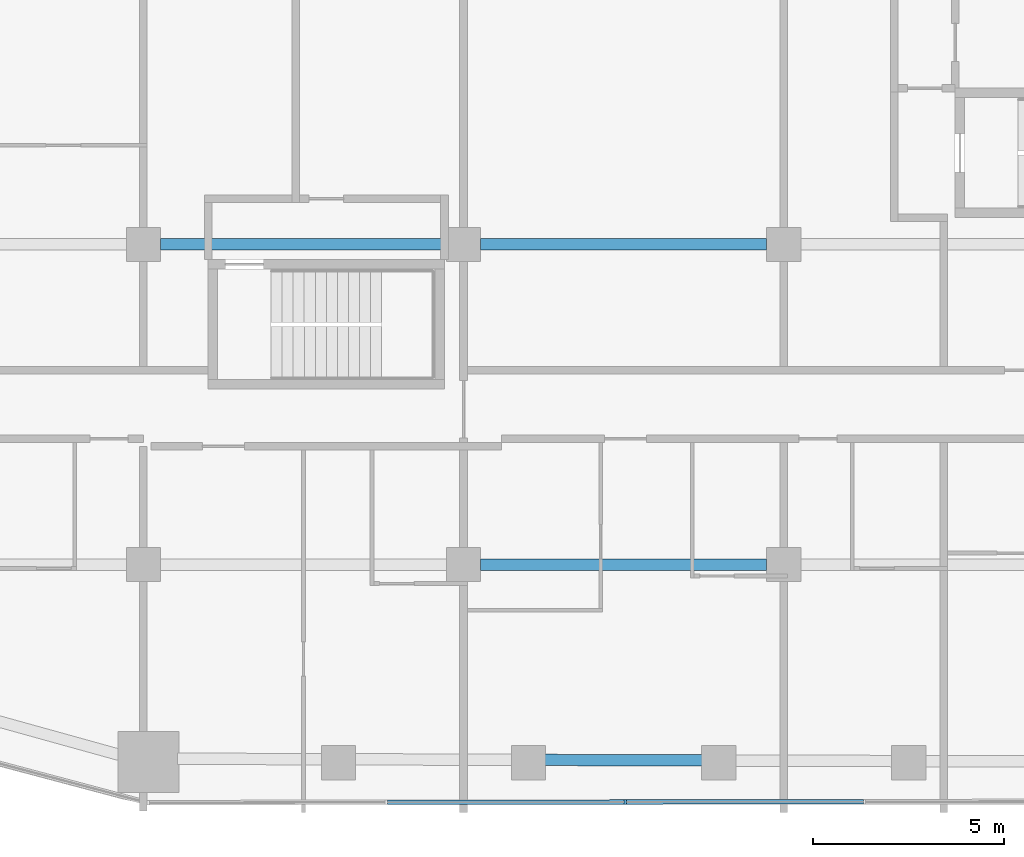
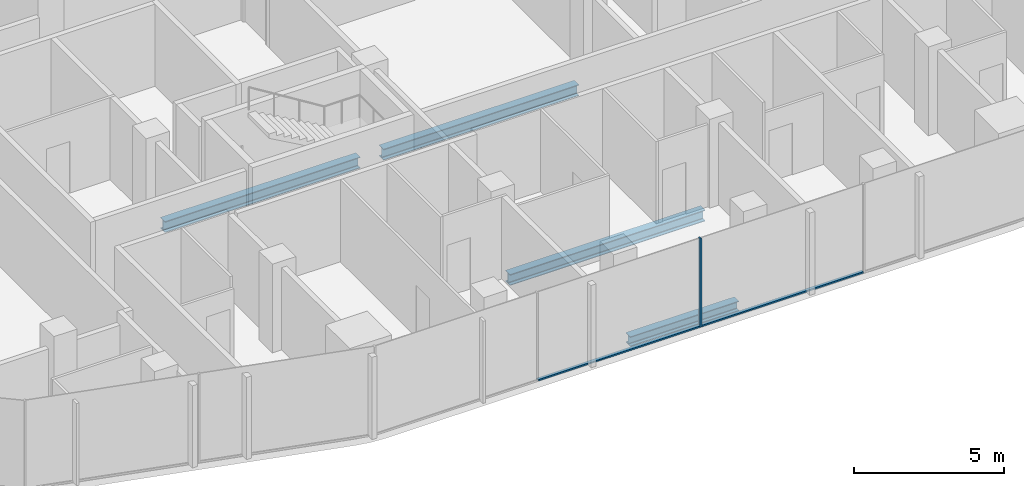
# One storey, part 3 of 21: 4 beams, 3 members, 1 element without a shape of its own.
"""IFC4 building model written with IfcOpenShell, lengths in metres."""

import ifcopenshell
import ifcopenshell.guid

model = None  # the IFC model being written
_history = None  # IfcOwnerHistory: only IFC2X3 demands one
_inside = {}  # id of a spatial element -> (the spatial element, [elements in it])
_under = {}  # id of a project, library or spatial element -> (it, [spatial elements below it])
_declared = {}  # id of a project -> (the project, [libraries it declares])
_typed = {}  # id of a type object -> (the type object, [elements of that type])
_made_of = {}  # id of a material, layer set ... -> (it, [elements and type objects made of it])


def new_model(schema):
    """Start an empty IFC model of exactly this schema.

    Asked for "IFC4X3", IfcOpenShell would pick the latest addendum, in which some entities
    have other attributes; the version numbers below select the first issue.
    IFC2X3 requires an IfcOwnerHistory on every rooted entity: one is made here for all.
    """
    global model, _history
    if schema == "IFC4X3":
        model = ifcopenshell.file(schema_version=(4, 3, 0, 0))
    else:
        model = ifcopenshell.file(schema=schema)
    _inside.clear()
    _under.clear()
    _declared.clear()
    _typed.clear()
    _made_of.clear()
    _history = None
    if model.schema == "IFC2X3":
        org = make("IfcOrganization", Name="unknown")
        user = make(
            "IfcPersonAndOrganization",
            ThePerson=make("IfcPerson", FamilyName="unknown"),
            TheOrganization=org,
        )
        app = make(
            "IfcApplication",
            ApplicationDeveloper=org,
            Version="unknown",
            ApplicationFullName="unknown",
            ApplicationIdentifier="unknown",
        )
        _history = make(
            "IfcOwnerHistory",
            OwningUser=user,
            OwningApplication=app,
            ChangeAction="ADDED",
            CreationDate=0,
        )
    return model


def make(cls, **values):
    """One entity of the class cls with the attributes given. An attribute that is None is left unset."""
    return model.create_entity(
        cls, **{name: value for name, value in values.items() if value is not None}
    )


def rooted(cls, **values):
    """An entity with a GlobalId (a new one), such as an element, a storey or a relation."""
    return make(cls, GlobalId=ifcopenshell.guid.new(), OwnerHistory=_history, **values)


def si_unit(unit_type, name, prefix=None):
    """IfcSIUnit, for example si_unit("LENGTHUNIT", "METRE", prefix="MILLI")."""
    return make("IfcSIUnit", UnitType=unit_type, Prefix=prefix, Name=name)


def assignment(units):
    """IfcUnitAssignment: the units of a project."""
    return None if units is None else make("IfcUnitAssignment", Units=units)


def point(xyz):
    """IfcCartesianPoint."""
    return None if xyz is None else make("IfcCartesianPoint", Coordinates=xyz)


def direction(xyz):
    """IfcDirection."""
    return None if xyz is None else make("IfcDirection", DirectionRatios=xyz)


def frame(location, z_axis=None, x_axis=None):
    """IfcAxis2Placement3D, a coordinate frame: its origin and axes. An axis left out is left unset."""
    return make(
        "IfcAxis2Placement3D",
        Location=point(location),
        Axis=direction(z_axis),
        RefDirection=direction(x_axis),
    )


def frame_2d(location, x_axis=None):
    """IfcAxis2Placement2D, a coordinate frame in the plane: its origin and x axis."""
    return make(
        "IfcAxis2Placement2D", Location=point(location), RefDirection=direction(x_axis)
    )


def origin():
    """The frame at (0, 0, 0) with its axes left unset."""
    return frame((0.0, 0.0, 0.0))


def origin_2d():
    """The frame at (0, 0) in the plane with its x axis left unset."""
    return frame_2d((0.0, 0.0))


def place(relative_to, where):
    """IfcLocalPlacement: puts the frame where relative to a parent placement (None: the world)."""
    return make(
        "IfcLocalPlacement", PlacementRelTo=relative_to, RelativePlacement=where
    )


def context(
    kind, dimensions, precision=None, world=None, true_north=None, identifier=None
):
    """IfcGeometricRepresentationContext, for example the 3D "Model" context."""
    return make(
        "IfcGeometricRepresentationContext",
        ContextIdentifier=identifier,
        ContextType=kind,
        CoordinateSpaceDimension=dimensions,
        Precision=precision,
        WorldCoordinateSystem=world,
        TrueNorth=true_north,
    )


def subcontext(parent, identifier, kind, view, scale=None):
    """IfcGeometricRepresentationSubContext, for example "Body" below "Model"."""
    return make(
        "IfcGeometricRepresentationSubContext",
        ContextIdentifier=identifier,
        ContextType=kind,
        ParentContext=parent,
        TargetScale=scale,
        TargetView=view,
    )


def project(units=None, contexts=None):
    """IfcProject with its units and contexts."""
    return rooted(
        "IfcProject",
        Name="project",
        RepresentationContexts=contexts,
        UnitsInContext=assignment(units),
    )


def spatial(cls, under=None, at=None, **own):
    """A site, building, storey or space (cls), placed at a placement, below another one or the project."""
    s = rooted(cls, ObjectPlacement=at, **own)
    if under is not None:
        _under.setdefault(under.id(), (under, []))[1].append(s)
    return s


def profile(cls, at=None, kind="AREA", **sizes):
    """A parametric profile (cls). Its sizes go by their IFC names, for example OverallWidth=200.0."""
    return make(cls, ProfileType=kind, Position=at, **sizes)


def rectangle(**sizes):
    """IfcRectangleProfileDef."""
    return profile("IfcRectangleProfileDef", **sizes)


def i_section(**sizes):
    """IfcIShapeProfileDef."""
    return profile("IfcIShapeProfileDef", **sizes)


def extrude(swept, where, along, depth):
    """IfcExtrudedAreaSolid: the profile swept, set in the frame where, extruded along a direction by depth."""
    return make(
        "IfcExtrudedAreaSolid",
        SweptArea=swept,
        Position=where,
        ExtrudedDirection=direction(along),
        Depth=depth,
    )


def shape(context_of_items, identifier, shape_type, items):
    """IfcShapeRepresentation: the items that make up one representation, for example the "Body"."""
    return make(
        "IfcShapeRepresentation",
        ContextOfItems=context_of_items,
        RepresentationIdentifier=identifier,
        RepresentationType=shape_type,
        Items=items,
    )


def material(Name=None, Category=None):
    """IfcMaterial."""
    return make("IfcMaterial", Name=Name, Category=Category)


def layer(
    of_material, thickness, ventilated=None, Name=None, Category=None, Priority=None
):
    """IfcMaterialLayer: one layer of a wall or slab, of a material (None: an air gap)."""
    return make(
        "IfcMaterialLayer",
        Material=of_material,
        LayerThickness=thickness,
        IsVentilated=ventilated,
        Name=Name,
        Category=Category,
        Priority=Priority,
    )


def layer_set(layers, Name=None):
    """IfcMaterialLayerSet."""
    return make("IfcMaterialLayerSet", MaterialLayers=layers, LayerSetName=Name)


def material_profile(
    of_material, cross_section, Name=None, Category=None, Priority=None
):
    """IfcMaterialProfile: a cross section and its material."""
    return make(
        "IfcMaterialProfile",
        Name=Name,
        Material=of_material,
        Profile=cross_section,
        Priority=Priority,
        Category=Category,
    )


def profile_set(profiles, Name=None, composite=None):
    """IfcMaterialProfileSet."""
    return make(
        "IfcMaterialProfileSet",
        Name=Name,
        MaterialProfiles=profiles,
        CompositeProfile=composite,
    )


def made_of(thing, what):
    """Note that an element or type object is made of a material, layer set ...; save() writes the relation."""
    if what is not None:
        _made_of.setdefault(what.id(), (what, []))[1].append(thing)
    return thing


def type_object(cls, material=None, **own):
    """A type object (cls), such as IfcWallType, which elements share."""
    return made_of(rooted(cls, **own), material)


def element(
    cls,
    number,
    at=None,
    inside=None,
    cuts=None,
    type_object=None,
    material=None,
    context=None,
    identifier="Body",
    shape_type=None,
    held_by="IfcProductDefinitionShape",
    body=None,
    shapes=None,
    **own,
):
    """One element of the class cls, such as IfcWall. Its Tag is "e" and its number.

    at: its placement. inside: the storey or other place that contains it. cuts: it is an
    opening in that element (IfcRelVoidsElement). A single representation is given by context,
    identifier, shape_type and body (its items); several are given by shapes. held_by: the class
    of the entity that holds the representations. save() writes the other relations.
    """
    e = rooted(cls, Tag="e%d" % number, ObjectPlacement=at, **own)
    if body is not None:
        shapes = [shape(context, identifier, shape_type, body)]
    if shapes is not None:
        e.Representation = make(held_by, Representations=shapes)
    if inside is not None:
        _inside.setdefault(inside.id(), (inside, []))[1].append(e)
    if cuts is not None:
        rooted(
            "IfcRelVoidsElement", RelatingBuildingElement=cuts, RelatedOpeningElement=e
        )
    if type_object is not None:
        _typed.setdefault(type_object.id(), (type_object, []))[1].append(e)
    return made_of(e, material)


def aggregate(whole, parts):
    """IfcRelAggregates: a whole, such as a stair, and the parts it consists of."""
    return rooted("IfcRelAggregates", RelatingObject=whole, RelatedObjects=parts)


def save(model, path):
    """Write the relations noted so far, then the file.

    IfcRelAggregates (storeys below a building ...), IfcRelContainedInSpatialStructure (elements
    in a storey), IfcRelDefinesByType, IfcRelAssociatesMaterial and IfcRelDeclares: one each for
    every whole, place, type object, material and project.
    """
    for whole, parts in _under.values():
        aggregate(whole, parts)
    for where, things in _inside.values():
        rooted(
            "IfcRelContainedInSpatialStructure",
            RelatedElements=things,
            RelatingStructure=where,
        )
    for kind, things in _typed.values():
        rooted("IfcRelDefinesByType", RelatedObjects=things, RelatingType=kind)
    for what, things in _made_of.values():
        rooted("IfcRelAssociatesMaterial", RelatedObjects=things, RelatingMaterial=what)
    for by, libraries in _declared.values():
        rooted("IfcRelDeclares", RelatingContext=by, RelatedDefinitions=libraries)
    model.write(path)


model = new_model("IFC4")

# Units and contexts
model_context = context("Model", 3, precision=1e-05, world=origin(), true_north=direction((0.0, 1.0)))
body_context = subcontext(model_context, "Body", "Model", "MODEL_VIEW")
ifc_project = project(units=[si_unit("LENGTHUNIT", "METRE"), si_unit("AREAUNIT", "SQUARE_METRE"), si_unit("VOLUMEUNIT", "CUBIC_METRE"), si_unit("PLANEANGLEUNIT", "RADIAN"), si_unit("MASSUNIT", "GRAM", prefix="KILO")], contexts=[model_context])

# Site, building, storey
site_placement = place(None, origin())
site = spatial("IfcSite", under=ifc_project, at=site_placement, CompositionType="ELEMENT")
building_placement = place(site_placement, origin())
building = spatial("IfcBuilding", under=site, at=building_placement, Name="Marenta Gate Hotel Tower", CompositionType="ELEMENT")
storey_placement = place(building_placement, frame((0.0, 0.0, 133.699951171875)))
storey = spatial("IfcBuildingStorey", under=building, at=storey_placement, Name="L30", CompositionType="ELEMENT", Elevation=133.699951171875)

# Beams
ifc_material_1 = material(Name="Steel S355", Category="steel")
ifc_material_profile_1 = material_profile(ifc_material_1, i_section(OverallWidth=0.300048828125, OverallDepth=0.39990234375, WebThickness=0.013427734375, FlangeThickness=0.02392578125, FilletRadius=0.027099609375, at=origin_2d()), Name="HEB 400")
ifc_profile_set_1 = profile_set([ifc_material_profile_1], Name="Steel S355")
beam_type_1 = type_object("IfcBeamType", Name="Edge beam HEB 400", PredefinedType="SPANDREL", material=ifc_profile_set_1)
beam_placement = place(storey_placement, frame((2.08349609375, -21.939453125, -0.4599609375), z_axis=(-0.999994808095, 0.003222387769, 0.0), x_axis=(-0.003222387769, -0.999994808095, 0.0)))
element("IfcBeam", 1, at=beam_placement, inside=storey, type_object=beam_type_1, Name="L30-EB-34", PredefinedType="SPANDREL", context=body_context, shape_type="SweptSolid", body=[
    extrude(i_section(OverallWidth=0.300048828125, OverallDepth=0.39990234375, WebThickness=0.013427734375, FlangeThickness=0.02392578125, FilletRadius=0.027099609375, at=origin_2d()), origin(), (0.0, 0.0, 1.0), 4.1669921875),
])
ifc_material_2 = material(Name="Steel S355", Category="steel")
ifc_material_profile_2 = material_profile(ifc_material_2, i_section(OverallWidth=0.300048828125, OverallDepth=0.449951171875, WebThickness=0.013916015625, FlangeThickness=0.02587890625, FilletRadius=0.027099609375, at=origin_2d()), Name="HEB 450")
ifc_profile_set_2 = profile_set([ifc_material_profile_2], Name="Steel S355")
beam_type_2 = type_object("IfcBeamType", Name="Girder HEB 450", PredefinedType="BEAM", material=ifc_profile_set_2)
for number, where, z_axis, x_axis, name in (
    (2, (-3.75, -16.800048828125, -0.48486328125), (1.0, 0.0, 0.0), (0.0, 1.0, 0.0), "L30-GD-4"),
    (3, (-12.14990234375, -8.39990234375, -0.48486328125), (1.0, 0.0, 0.0), (0.0, 1.0, 0.0), "L30-GD-10"),
    (4, (-3.75, -8.39990234375, -0.48486328125), (1.0, 0.0, 0.0), (0.0, 1.0, 0.0), "L30-GD-11"),
):
    element("IfcBeam", number, at=place(storey_placement, frame(where, z_axis=z_axis, x_axis=x_axis)), inside=storey, type_object=beam_type_2, Name=name, PredefinedType="BEAM", context=body_context, shape_type="SweptSolid", body=[
        extrude(i_section(OverallWidth=0.300048828125, OverallDepth=0.449951171875, WebThickness=0.013916015625, FlangeThickness=0.02587890625, FilletRadius=0.027099609375, at=origin_2d()), origin(), (0.0, 0.0, 1.0), 7.5),
    ])

# Curtain wall, members
ifc_material_3 = material(Name="Tinted insulated glass in bronze anodised frame", Category="glass")
ifc_layer = layer(ifc_material_3, 0.1201171875)
ifc_layer_set = layer_set([ifc_layer], Name="Tinted insulated glass in bronze anodised frame")
curtain_wall_type = type_object("IfcCurtainWallType", Name="Tower unitised curtain wall CW1", PredefinedType="NOTDEFINED", material=ifc_layer_set)
curtain_wall_placement = place(storey_placement, origin())
curtain_wall = element("IfcCurtainWall", 5, at=curtain_wall_placement, inside=storey, type_object=curtain_wall_type, Name="CW1 run G07", PredefinedType="NOTDEFINED")
ifc_material_4 = material(Name="Bronze anodised aluminium", Category="aluminium")
ifc_material_profile_3 = material_profile(ifc_material_4, rectangle(XDim=0.1201171875, YDim=0.06005859375, at=origin_2d()), Name="Mullion CW1 60x120 bronze anodised aluminium")
ifc_profile_set_3 = profile_set([ifc_material_profile_3], Name="Bronze anodised aluminium")
member_type_1 = type_object("IfcMemberType", Name="Mullion CW1 60x120 bronze anodised aluminium", PredefinedType="MULLION", material=ifc_profile_set_3)
member_1_placement = place(storey_placement, frame((0.0458984375, -23.030517578125, 0.0), z_axis=(0.0, 0.0, 1.0), x_axis=(-0.001362347707, 0.999999072004, 0.0)))
member_1 = element("IfcMember", 6, at=member_1_placement, type_object=member_type_1, Name="CW1 mullion 3", PredefinedType="MULLION", context=body_context, shape_type="SweptSolid", body=[
    extrude(rectangle(XDim=0.1201171875, YDim=0.06005859375, at=origin_2d()), origin(), (0.0, 0.0, 1.0), 3.60009765625),
])
ifc_material_5 = material(Name="Bronze anodised aluminium", Category="aluminium")
ifc_material_profile_4 = material_profile(ifc_material_5, rectangle(XDim=0.1201171875, YDim=0.06005859375, at=origin_2d()), Name="Transom CW1 60x120 bronze anodised aluminium")
ifc_profile_set_4 = profile_set([ifc_material_profile_4], Name="Bronze anodised aluminium")
member_type_2 = type_object("IfcMemberType", Name="Transom CW1 60x120 bronze anodised aluminium", PredefinedType="USERDEFINED", material=ifc_profile_set_4)
member_2_placement = place(storey_placement, frame((-6.199951171875, -23.038818359375, 0.030029296875), z_axis=(0.999999108317, 0.001335426932, 0.0), x_axis=(-0.001335426932, 0.999999108317, 0.0)))
member_2 = element("IfcMember", 7, at=member_2_placement, type_object=member_type_2, Name="CW1 transom 2.1", ObjectType="TRANSOM", PredefinedType="USERDEFINED", context=body_context, shape_type="SweptSolid", body=[
    extrude(rectangle(XDim=0.1201171875, YDim=0.06005859375, at=origin_2d()), origin(), (0.0, 0.0, 1.0), 6.2158203125),
])
member_3_placement = place(storey_placement, frame((0.075927734375, -23.0302734375, 0.030029296875), z_axis=(0.999999108387, 0.001335374482, 0.0), x_axis=(-0.001335374482, 0.999999108387, 0.0)))
member_3 = element("IfcMember", 8, at=member_3_placement, type_object=member_type_2, Name="CW1 transom 3.1", ObjectType="TRANSOM", PredefinedType="USERDEFINED", context=body_context, shape_type="SweptSolid", body=[
    extrude(rectangle(XDim=0.1201171875, YDim=0.06005859375, at=origin_2d()), origin(), (0.0, 0.0, 1.0), 6.216064453125),
])
aggregate(curtain_wall, [member_1, member_2, member_3])

save(model, "model.ifc")
